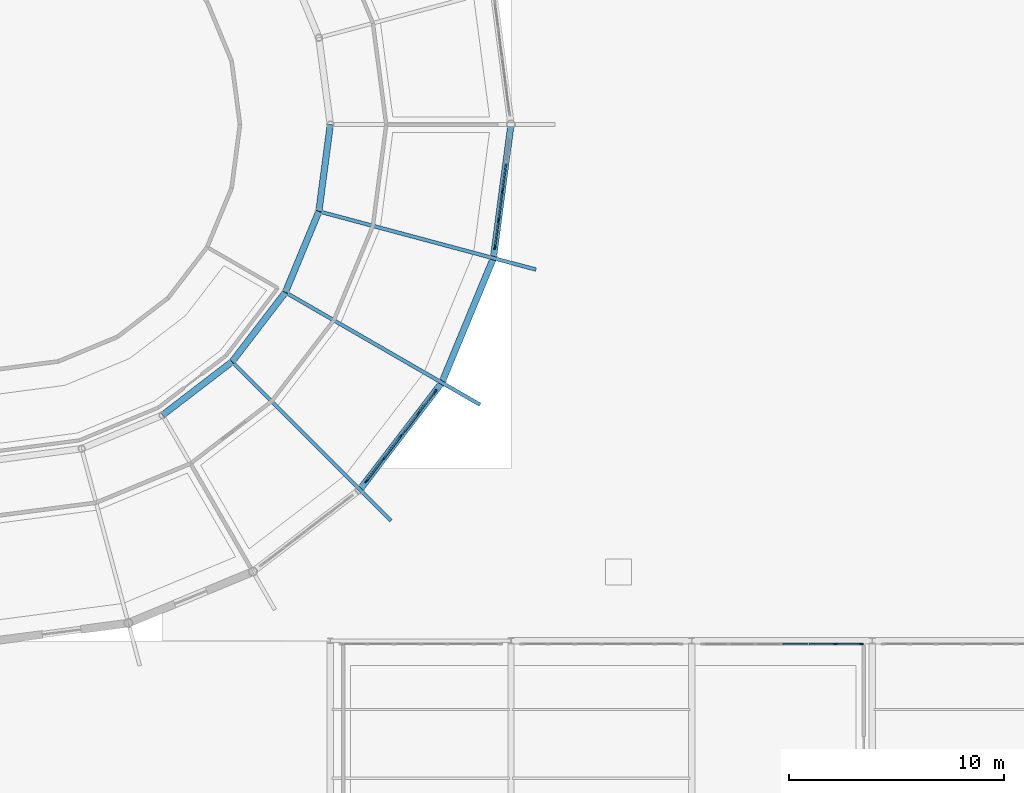
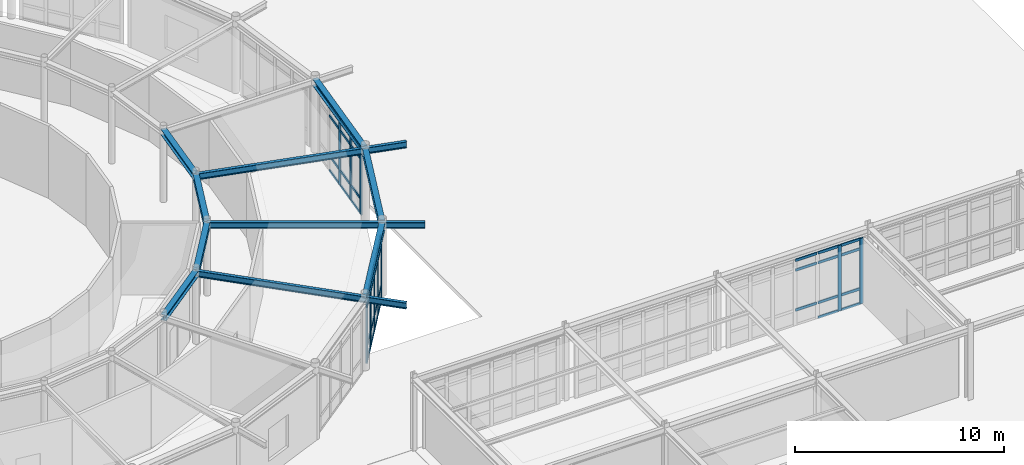
# One storey, part 35 of 101: 49 members, 10 beams, 3 elements without a shape of their own.
"""IFC4 building model written with IfcOpenShell, lengths in metres."""

from ifc_helpers import new_model, si_unit, derived_unit, direction, frame, origin, origin_2d, place, context, subcontext, project, spatial, rectangle, i_section, extrude, material, layer, layer_set, material_profile, profile_set, type_object, element, aggregate, save


model = new_model("IFC4")

# Units and contexts
model_context = context("Model", 3, precision=1e-05, world=origin(), true_north=direction((0.0, 1.0)))
body_context = subcontext(model_context, "Body", "Model", "MODEL_VIEW")
ifc_project = project(units=[si_unit("LENGTHUNIT", "METRE"), si_unit("AREAUNIT", "SQUARE_METRE"), si_unit("VOLUMEUNIT", "CUBIC_METRE"), si_unit("PLANEANGLEUNIT", "RADIAN"), si_unit("MASSUNIT", "GRAM", prefix="KILO"), derived_unit("THERMALTRANSMITTANCEUNIT", [(si_unit("POWERUNIT", "WATT"), 1), (si_unit("AREAUNIT", "SQUARE_METRE"), -1), (si_unit("THERMODYNAMICTEMPERATUREUNIT", "KELVIN"), -1)])], contexts=[model_context])

# Site, building, storey
site_placement = place(None, origin())
site = spatial("IfcSite", under=ifc_project, at=site_placement, CompositionType="ELEMENT")
building_placement = place(site_placement, origin())
building = spatial("IfcBuilding", under=site, at=building_placement, Name="Yasenodar Specialist Clinic", CompositionType="ELEMENT")
storey_placement = place(building_placement, origin())
storey = spatial("IfcBuildingStorey", under=building, at=storey_placement, Name="L00", CompositionType="ELEMENT", Elevation=0.0)

# Beams
ifc_material_1 = material(Name="Steel S355", Category="steel")
ifc_material_profile_1 = material_profile(ifc_material_1, i_section(OverallWidth=0.300048828125, OverallDepth=0.330078125, WebThickness=0.009521484375, FlangeThickness=0.0166015625, FilletRadius=0.027099609375, at=origin_2d()), Name="HEA 340")
ifc_profile_set_1 = profile_set([ifc_material_profile_1], Name="Steel S355")
beam_type_1 = type_object("IfcBeamType", Name="BM-HEA340", PredefinedType="BEAM", material=ifc_profile_set_1)
for number, where, z_axis, x_axis, name in (
    (1, (88.800048828125, 45.2900390625, 4.0849609375), (0.793376657722, 0.608731039936, 0.0), (-0.608731039936, 0.793376657722, 0.0), "L00 Drum V1 Inner Ring Beam"),
    (2, (92.031005859375, 47.76904296875, 4.0849609375), (0.608731039936, 0.793376657722, 0.0), (-0.793376657722, 0.608731039936, 0.0), "L00 Drum V1 Inner Ring Beam"),
    (3, (94.510009765625, 51.0, 4.0849609375), (0.382660650645, 0.92388896868, 0.0), (-0.92388896868, 0.382660650645, 0.0), "L00 Drum V1 Inner Ring Beam"),
    (4, (96.068359375, 54.762451171875, 4.0849609375), (0.130569268018, 0.991439189385, 0.0), (-0.991439189385, 0.130569268018, 0.0), "L00 Drum V1 Inner Ring Beam"),
):
    element("IfcBeam", number, at=place(storey_placement, frame(where, z_axis=z_axis, x_axis=x_axis)), inside=storey, type_object=beam_type_1, Name=name, PredefinedType="BEAM", context=body_context, shape_type="SweptSolid", body=[
        extrude(i_section(OverallWidth=0.300048828125, OverallDepth=0.330078125, WebThickness=0.009521484375, FlangeThickness=0.0166015625, FilletRadius=0.027099609375, at=origin_2d()), origin(), (0.0, 0.0, 1.0), 4.072509765625),
    ])
ifc_material_profile_2 = material_profile(ifc_material_1, i_section(OverallWidth=0.300048828125, OverallDepth=0.389892578125, WebThickness=0.010986328125, FlangeThickness=0.01904296875, FilletRadius=0.027099609375, at=origin_2d()), Name="HEA 400")
ifc_profile_set_2 = profile_set([ifc_material_profile_2], Name="Steel S355")
beam_type_2 = type_object("IfcBeamType", Name="BM-HEA400", PredefinedType="BEAM", material=ifc_profile_set_2)
beam_1_placement = place(storey_placement, frame((97.970703125, 41.829345703125, 4.054931640625), z_axis=(0.608742360322, 0.793367971845, 0.0), x_axis=(-0.793367971845, 0.608742360322, 0.0)))
element("IfcBeam", 5, at=beam_1_placement, inside=storey, type_object=beam_type_2, Name="L00 Drum V1 Perimeter Ring Beam", PredefinedType="BEAM", context=body_context, shape_type="SweptSolid", body=[
    extrude(i_section(OverallWidth=0.300048828125, OverallDepth=0.389892578125, WebThickness=0.010986328125, FlangeThickness=0.01904296875, FilletRadius=0.027099609375, at=origin_2d()), origin(), (0.0, 0.0, 1.0), 6.265380859375),
])
beam_2_placement = place(storey_placement, frame((101.78466796875, 46.800048828125, 4.054931640625), z_axis=(0.382663829839, 0.9238876519, 0.0), x_axis=(-0.9238876519, 0.382663829839, 0.0)))
element("IfcBeam", 6, at=beam_2_placement, inside=storey, type_object=beam_type_2, Name="L00 Drum V1 Perimeter Ring Beam", PredefinedType="BEAM", context=body_context, shape_type="SweptSolid", body=[
    extrude(i_section(OverallWidth=0.300048828125, OverallDepth=0.389892578125, WebThickness=0.010986328125, FlangeThickness=0.01904296875, FilletRadius=0.027099609375, at=origin_2d()), origin(), (0.0, 0.0, 1.0), 6.26513671875),
])
beam_3_placement = place(storey_placement, frame((104.18212890625, 52.58837890625, 4.054931640625), z_axis=(0.130540192224, 0.991443018138, 0.0), x_axis=(-0.991443018138, 0.130540192224, 0.0)))
element("IfcBeam", 7, at=beam_3_placement, inside=storey, type_object=beam_type_2, Name="L00 Drum V1 Perimeter Ring Beam", PredefinedType="BEAM", context=body_context, shape_type="SweptSolid", body=[
    extrude(i_section(OverallWidth=0.300048828125, OverallDepth=0.389892578125, WebThickness=0.010986328125, FlangeThickness=0.01904296875, FilletRadius=0.027099609375, at=origin_2d()), origin(), (0.0, 0.0, 1.0), 6.265380859375),
])
ifc_material_profile_3 = material_profile(ifc_material_1, i_section(OverallWidth=0.169921875, OverallDepth=0.360107421875, WebThickness=0.008056640625, FlangeThickness=0.0126953125, FilletRadius=0.01806640625, at=origin_2d()), Name="IPE 360")
ifc_profile_set_3 = profile_set([ifc_material_profile_3], Name="Steel S355")
beam_type_3 = type_object("IfcBeamType", Name="BM-IPE360", PredefinedType="BEAM", material=ifc_profile_set_3)
beam_4_placement = place(storey_placement, frame((92.031005859375, 47.76904296875, 4.070068359375), z_axis=(0.707106781187, -0.707106781187, 0.0), x_axis=(0.707106781187, 0.707106781187, 0.0)))
element("IfcBeam", 8, at=beam_4_placement, inside=storey, type_object=beam_type_3, Name="L00 Drum V1 Radial Back-Spanned Cantilever Beam", PredefinedType="BEAM", context=body_context, shape_type="SweptSolid", body=[
    extrude(i_section(OverallWidth=0.169921875, OverallDepth=0.360107421875, WebThickness=0.008056640625, FlangeThickness=0.0126953125, FilletRadius=0.01806640625, at=origin_2d()), origin(), (0.0, 0.0, 1.0), 10.449951171875),
])
beam_5_placement = place(storey_placement, frame((94.510009765625, 51.0, 4.070068359375), z_axis=(0.86602335148, -0.500003554679, 0.0), x_axis=(0.500003554679, 0.86602335148, 0.0)))
element("IfcBeam", 9, at=beam_5_placement, inside=storey, type_object=beam_type_3, Name="L00 Drum V1 Radial Back-Spanned Cantilever Beam", PredefinedType="BEAM", context=body_context, shape_type="SweptSolid", body=[
    extrude(i_section(OverallWidth=0.169921875, OverallDepth=0.360107421875, WebThickness=0.008056640625, FlangeThickness=0.0126953125, FilletRadius=0.01806640625, at=origin_2d()), origin(), (0.0, 0.0, 1.0), 10.4501953125),
])
beam_6_placement = place(storey_placement, frame((96.068359375, 54.762451171875, 4.070068359375), z_axis=(0.965927925162, -0.258811211874, 0.0), x_axis=(0.258811211874, 0.965927925162, 0.0)))
element("IfcBeam", 10, at=beam_6_placement, inside=storey, type_object=beam_type_3, Name="L00 Drum V1 Radial Back-Spanned Cantilever Beam", PredefinedType="BEAM", context=body_context, shape_type="SweptSolid", body=[
    extrude(i_section(OverallWidth=0.169921875, OverallDepth=0.360107421875, WebThickness=0.008056640625, FlangeThickness=0.0126953125, FilletRadius=0.01806640625, at=origin_2d()), origin(), (0.0, 0.0, 1.0), 10.449951171875),
])

# Curtain wall, members
ifc_material_2 = material(Name="Bronze Anodized Aluminium and Triple Low-E Glass", Category="aluminium")
ifc_layer_1 = layer(ifc_material_2, 0.1669921875)
ifc_layer_set_1 = layer_set([ifc_layer_1], Name="Bronze Anodized Aluminium and Triple Low-E Glass")
curtain_wall_type_1 = type_object("IfcCurtainWallType", Name="CW-SYS-01", PredefinedType="USERDEFINED", material=ifc_layer_set_1)
curtain_wall_1_placement = place(storey_placement, origin())
curtain_wall_1 = element("IfcCurtainWall", 11, at=curtain_wall_1_placement, inside=storey, type_object=curtain_wall_type_1, Name="L00 Unitised Curtain Wall 012", ObjectType="UNITISED CURTAIN WALL", PredefinedType="USERDEFINED")
ifc_material_3 = material(Name="Bronze Anodized Aluminium", Category="aluminium")
ifc_material_profile_4 = material_profile(ifc_material_3, rectangle(XDim=0.070068359375, YDim=0.199951171875, at=origin_2d()), Name="CW-MULL 70x200")
ifc_profile_set_4 = profile_set([ifc_material_profile_4], Name="Bronze Anodized Aluminium")
member_type_1 = type_object("IfcMemberType", Name="CW-MULL-200", PredefinedType="MULLION", material=ifc_profile_set_4)
member_1_placement = place(storey_placement, frame((101.47119140625, 46.391357421875, 0.0), z_axis=(0.0, 0.0, 1.0), x_axis=(0.793360558574, -0.608752021844, 0.0)))
member_1 = element("IfcMember", 12, at=member_1_placement, type_object=member_type_1, Name="CW-01 mullion 1", PredefinedType="MULLION", context=body_context, shape_type="SweptSolid", body=[
    extrude(rectangle(XDim=0.070068359375, YDim=0.199951171875, at=origin_2d()), origin(), (0.0, 0.0, 1.0), 3.837890625),
])
member_2_placement = place(storey_placement, frame((100.68505859375, 45.366943359375, 0.0), z_axis=(0.0, 0.0, 1.0), x_axis=(0.793360558574, -0.608752021844, 0.0)))
member_2 = element("IfcMember", 13, at=member_2_placement, type_object=member_type_1, Name="CW-01 mullion 2", PredefinedType="MULLION", context=body_context, shape_type="SweptSolid", body=[
    extrude(rectangle(XDim=0.070068359375, YDim=0.199951171875, at=origin_2d()), origin(), (0.0, 0.0, 1.0), 3.837890625),
])
member_3_placement = place(storey_placement, frame((99.877685546875, 44.314697265625, 0.0), z_axis=(0.0, 0.0, 1.0), x_axis=(0.793360558574, -0.608752021844, 0.0)))
member_3 = element("IfcMember", 14, at=member_3_placement, type_object=member_type_1, Name="CW-01 mullion 3", PredefinedType="MULLION", context=body_context, shape_type="SweptSolid", body=[
    extrude(rectangle(XDim=0.070068359375, YDim=0.199951171875, at=origin_2d()), origin(), (0.0, 0.0, 1.0), 3.837890625),
])
member_4_placement = place(storey_placement, frame((99.0703125, 43.262451171875, 0.0), z_axis=(0.0, 0.0, 1.0), x_axis=(0.793360558574, -0.608752021844, 0.0)))
member_4 = element("IfcMember", 15, at=member_4_placement, type_object=member_type_1, Name="CW-01 mullion 4", PredefinedType="MULLION", context=body_context, shape_type="SweptSolid", body=[
    extrude(rectangle(XDim=0.070068359375, YDim=0.199951171875, at=origin_2d()), origin(), (0.0, 0.0, 1.0), 3.837890625),
])
member_5_placement = place(storey_placement, frame((98.2841796875, 42.238037109375, 0.0), z_axis=(0.0, 0.0, 1.0), x_axis=(0.793360558574, -0.608752021844, 0.0)))
member_5 = element("IfcMember", 16, at=member_5_placement, type_object=member_type_1, Name="CW-01 mullion 5", PredefinedType="MULLION", context=body_context, shape_type="SweptSolid", body=[
    extrude(rectangle(XDim=0.070068359375, YDim=0.199951171875, at=origin_2d()), origin(), (0.0, 0.0, 1.0), 3.837890625),
])

curtain_wall_2_placement = place(storey_placement, origin())
curtain_wall_2 = element("IfcCurtainWall", 17, at=curtain_wall_2_placement, inside=storey, type_object=curtain_wall_type_1, Name="L00 Unitised Curtain Wall 013", ObjectType="UNITISED CURTAIN WALL", PredefinedType="USERDEFINED")
member_6_placement = place(storey_placement, frame((104.591064453125, 55.694091796875, 0.0), z_axis=(0.0, 0.0, 1.0), x_axis=(0.991446787601, -0.13051156024, 0.0)))
member_6 = element("IfcMember", 18, at=member_6_placement, type_object=member_type_1, Name="CW-01 mullion 3", PredefinedType="MULLION", context=body_context, shape_type="SweptSolid", body=[
    extrude(rectangle(XDim=0.070068359375, YDim=0.199951171875, at=origin_2d()), origin(), (0.0, 0.0, 1.0), 3.837890625),
])
member_7_placement = place(storey_placement, frame((104.41796875, 54.379150390625, 0.0), z_axis=(0.0, 0.0, 1.0), x_axis=(0.991446787601, -0.13051156024, 0.0)))
member_7 = element("IfcMember", 19, at=member_7_placement, type_object=member_type_1, Name="CW-01 mullion 4", PredefinedType="MULLION", context=body_context, shape_type="SweptSolid", body=[
    extrude(rectangle(XDim=0.070068359375, YDim=0.199951171875, at=origin_2d()), origin(), (0.0, 0.0, 1.0), 3.837890625),
])
member_8_placement = place(storey_placement, frame((104.24951171875, 53.098876953125, 0.0), z_axis=(0.0, 0.0, 1.0), x_axis=(0.991446787601, -0.13051156024, 0.0)))
member_8 = element("IfcMember", 20, at=member_8_placement, type_object=member_type_1, Name="CW-01 mullion 5", PredefinedType="MULLION", context=body_context, shape_type="SweptSolid", body=[
    extrude(rectangle(XDim=0.070068359375, YDim=0.199951171875, at=origin_2d()), origin(), (0.0, 0.0, 1.0), 3.837890625),
])

ifc_layer_2 = layer(ifc_material_2, 0.178955078125)
ifc_layer_set_2 = layer_set([ifc_layer_2], Name="Bronze Anodized Aluminium and Triple Low-E Glass")
curtain_wall_type_2 = type_object("IfcCurtainWallType", Name="CW-SYS-02", PredefinedType="USERDEFINED", material=ifc_layer_set_2)
curtain_wall_3_placement = place(storey_placement, origin())
curtain_wall_3 = element("IfcCurtainWall", 21, at=curtain_wall_3_placement, inside=storey, type_object=curtain_wall_type_2, Name="L00 Unitised Curtain Wall 083", ObjectType="UNITISED CURTAIN WALL", PredefinedType="USERDEFINED")
member_9_placement = place(storey_placement, frame((120.080078125, 34.64990234375, 0.0), z_axis=(0.0, 0.0, 1.0), x_axis=(0.0, 1.0, 0.0)))
member_9 = element("IfcMember", 22, at=member_9_placement, type_object=member_type_1, Name="CW-02 mullion 6", PredefinedType="MULLION", context=body_context, shape_type="SweptSolid", body=[
    extrude(rectangle(XDim=0.070068359375, YDim=0.199951171875, at=origin_2d()), origin(), (0.0, 0.0, 1.0), 3.837890625),
])
member_10_placement = place(storey_placement, frame((121.284912109375, 34.64990234375, 0.0), z_axis=(0.0, 0.0, 1.0), x_axis=(0.0, 1.0, 0.0)))
member_10 = element("IfcMember", 23, at=member_10_placement, type_object=member_type_1, Name="CW-02 mullion 7", PredefinedType="MULLION", context=body_context, shape_type="SweptSolid", body=[
    extrude(rectangle(XDim=0.070068359375, YDim=0.199951171875, at=origin_2d()), origin(), (0.0, 0.0, 1.0), 3.837890625),
])

# Member
ifc_material_profile_5 = material_profile(ifc_material_3, rectangle(XDim=0.070068359375, YDim=0.14990234375, at=origin_2d()), Name="CW-TRAN 70x150")
ifc_profile_set_5 = profile_set([ifc_material_profile_5], Name="Bronze Anodized Aluminium")
member_type_2 = type_object("IfcMemberType", Name="CW-TRAN-150", PredefinedType="USERDEFINED", material=ifc_profile_set_5)
member_11_placement = place(storey_placement, frame((101.44970703125, 46.36376953125, 0.034912109375), z_axis=(-0.608695898449, -0.793403619358, 0.0), x_axis=(0.793403619358, -0.608695898449, 0.0)))
member_11 = element("IfcMember", 24, at=member_11_placement, type_object=member_type_2, Name="CW-01 transom 1.1", ObjectType="TRANSOM", PredefinedType="USERDEFINED", context=body_context, shape_type="SweptSolid", body=[
    extrude(rectangle(XDim=0.070068359375, YDim=0.14990234375, at=origin_2d()), origin(), (0.0, 0.0, 1.0), 1.22119140625),
])

member_12_placement = place(storey_placement, frame((101.44970703125, 46.36376953125, 0.89990234375), z_axis=(-0.608695898449, -0.793403619358, 0.0), x_axis=(0.793403619358, -0.608695898449, 0.0)))
member_12 = element("IfcMember", 25, at=member_12_placement, type_object=member_type_2, Name="CW-01 transom 1.2", ObjectType="TRANSOM", PredefinedType="USERDEFINED", context=body_context, shape_type="SweptSolid", body=[
    extrude(rectangle(XDim=0.070068359375, YDim=0.14990234375, at=origin_2d()), origin(), (0.0, 0.0, 1.0), 1.22119140625),
])

member_13_placement = place(storey_placement, frame((101.44970703125, 46.36376953125, 3.238037109375), z_axis=(-0.608695898449, -0.793403619358, 0.0), x_axis=(0.793403619358, -0.608695898449, 0.0)))
member_13 = element("IfcMember", 26, at=member_13_placement, type_object=member_type_2, Name="CW-01 transom 1.3", ObjectType="TRANSOM", PredefinedType="USERDEFINED", context=body_context, shape_type="SweptSolid", body=[
    extrude(rectangle(XDim=0.070068359375, YDim=0.14990234375, at=origin_2d()), origin(), (0.0, 0.0, 1.0), 1.22119140625),
])

member_14_placement = place(storey_placement, frame((101.44970703125, 46.36376953125, 3.802978515625), z_axis=(-0.608695898449, -0.793403619358, 0.0), x_axis=(0.793403619358, -0.608695898449, 0.0)))
member_14 = element("IfcMember", 27, at=member_14_placement, type_object=member_type_2, Name="CW-01 transom 1.4", ObjectType="TRANSOM", PredefinedType="USERDEFINED", context=body_context, shape_type="SweptSolid", body=[
    extrude(rectangle(XDim=0.070068359375, YDim=0.14990234375, at=origin_2d()), origin(), (0.0, 0.0, 1.0), 1.22119140625),
])

member_15_placement = place(storey_placement, frame((100.66357421875, 45.339111328125, 0.034912109375), z_axis=(-0.608733443446, -0.793374813585, 0.0), x_axis=(0.793374813585, -0.608733443446, 0.0)))
member_15 = element("IfcMember", 28, at=member_15_placement, type_object=member_type_2, Name="CW-01 transom 2.1", ObjectType="TRANSOM", PredefinedType="USERDEFINED", context=body_context, shape_type="SweptSolid", body=[
    extrude(rectangle(XDim=0.070068359375, YDim=0.14990234375, at=origin_2d()), origin(), (0.0, 0.0, 1.0), 1.256103515625),
])

member_16_placement = place(storey_placement, frame((100.66357421875, 45.339111328125, 0.89990234375), z_axis=(-0.608733443446, -0.793374813585, 0.0), x_axis=(0.793374813585, -0.608733443446, 0.0)))
member_16 = element("IfcMember", 29, at=member_16_placement, type_object=member_type_2, Name="CW-01 transom 2.2", ObjectType="TRANSOM", PredefinedType="USERDEFINED", context=body_context, shape_type="SweptSolid", body=[
    extrude(rectangle(XDim=0.070068359375, YDim=0.14990234375, at=origin_2d()), origin(), (0.0, 0.0, 1.0), 1.256103515625),
])

member_17_placement = place(storey_placement, frame((100.66357421875, 45.339111328125, 3.238037109375), z_axis=(-0.608733443446, -0.793374813585, 0.0), x_axis=(0.793374813585, -0.608733443446, 0.0)))
member_17 = element("IfcMember", 30, at=member_17_placement, type_object=member_type_2, Name="CW-01 transom 2.3", ObjectType="TRANSOM", PredefinedType="USERDEFINED", context=body_context, shape_type="SweptSolid", body=[
    extrude(rectangle(XDim=0.070068359375, YDim=0.14990234375, at=origin_2d()), origin(), (0.0, 0.0, 1.0), 1.256103515625),
])

member_18_placement = place(storey_placement, frame((100.66357421875, 45.339111328125, 3.802978515625), z_axis=(-0.608733443446, -0.793374813585, 0.0), x_axis=(0.793374813585, -0.608733443446, 0.0)))
member_18 = element("IfcMember", 31, at=member_18_placement, type_object=member_type_2, Name="CW-01 transom 2.4", ObjectType="TRANSOM", PredefinedType="USERDEFINED", context=body_context, shape_type="SweptSolid", body=[
    extrude(rectangle(XDim=0.070068359375, YDim=0.14990234375, at=origin_2d()), origin(), (0.0, 0.0, 1.0), 1.256103515625),
])

member_19_placement = place(storey_placement, frame((99.856201171875, 44.286865234375, 0.034912109375), z_axis=(-0.608733443446, -0.793374813585, 0.0), x_axis=(0.793374813585, -0.608733443446, 0.0)))
member_19 = element("IfcMember", 32, at=member_19_placement, type_object=member_type_2, Name="CW-01 transom 3.1", ObjectType="TRANSOM", PredefinedType="USERDEFINED", context=body_context, shape_type="SweptSolid", body=[
    extrude(rectangle(XDim=0.070068359375, YDim=0.14990234375, at=origin_2d()), origin(), (0.0, 0.0, 1.0), 1.256103515625),
])

member_20_placement = place(storey_placement, frame((99.856201171875, 44.286865234375, 0.89990234375), z_axis=(-0.608733443446, -0.793374813585, 0.0), x_axis=(0.793374813585, -0.608733443446, 0.0)))
member_20 = element("IfcMember", 33, at=member_20_placement, type_object=member_type_2, Name="CW-01 transom 3.2", ObjectType="TRANSOM", PredefinedType="USERDEFINED", context=body_context, shape_type="SweptSolid", body=[
    extrude(rectangle(XDim=0.070068359375, YDim=0.14990234375, at=origin_2d()), origin(), (0.0, 0.0, 1.0), 1.256103515625),
])

member_21_placement = place(storey_placement, frame((99.856201171875, 44.286865234375, 3.238037109375), z_axis=(-0.608733443446, -0.793374813585, 0.0), x_axis=(0.793374813585, -0.608733443446, 0.0)))
member_21 = element("IfcMember", 34, at=member_21_placement, type_object=member_type_2, Name="CW-01 transom 3.3", ObjectType="TRANSOM", PredefinedType="USERDEFINED", context=body_context, shape_type="SweptSolid", body=[
    extrude(rectangle(XDim=0.070068359375, YDim=0.14990234375, at=origin_2d()), origin(), (0.0, 0.0, 1.0), 1.256103515625),
])

member_22_placement = place(storey_placement, frame((99.856201171875, 44.286865234375, 3.802978515625), z_axis=(-0.608733443446, -0.793374813585, 0.0), x_axis=(0.793374813585, -0.608733443446, 0.0)))
member_22 = element("IfcMember", 35, at=member_22_placement, type_object=member_type_2, Name="CW-01 transom 3.4", ObjectType="TRANSOM", PredefinedType="USERDEFINED", context=body_context, shape_type="SweptSolid", body=[
    extrude(rectangle(XDim=0.070068359375, YDim=0.14990234375, at=origin_2d()), origin(), (0.0, 0.0, 1.0), 1.256103515625),
])

member_23_placement = place(storey_placement, frame((99.048828125, 43.234619140625, 0.034912109375), z_axis=(-0.608695898449, -0.793403619358, 0.0), x_axis=(0.793403619358, -0.608695898449, 0.0)))
member_23 = element("IfcMember", 36, at=member_23_placement, type_object=member_type_2, Name="CW-01 transom 4.1", ObjectType="TRANSOM", PredefinedType="USERDEFINED", context=body_context, shape_type="SweptSolid", body=[
    extrude(rectangle(XDim=0.070068359375, YDim=0.14990234375, at=origin_2d()), origin(), (0.0, 0.0, 1.0), 1.22119140625),
])

member_24_placement = place(storey_placement, frame((99.048828125, 43.234619140625, 0.89990234375), z_axis=(-0.608695898449, -0.793403619358, 0.0), x_axis=(0.793403619358, -0.608695898449, 0.0)))
member_24 = element("IfcMember", 37, at=member_24_placement, type_object=member_type_2, Name="CW-01 transom 4.2", ObjectType="TRANSOM", PredefinedType="USERDEFINED", context=body_context, shape_type="SweptSolid", body=[
    extrude(rectangle(XDim=0.070068359375, YDim=0.14990234375, at=origin_2d()), origin(), (0.0, 0.0, 1.0), 1.22119140625),
])

member_25_placement = place(storey_placement, frame((99.048828125, 43.234619140625, 3.238037109375), z_axis=(-0.608695898449, -0.793403619358, 0.0), x_axis=(0.793403619358, -0.608695898449, 0.0)))
member_25 = element("IfcMember", 38, at=member_25_placement, type_object=member_type_2, Name="CW-01 transom 4.3", ObjectType="TRANSOM", PredefinedType="USERDEFINED", context=body_context, shape_type="SweptSolid", body=[
    extrude(rectangle(XDim=0.070068359375, YDim=0.14990234375, at=origin_2d()), origin(), (0.0, 0.0, 1.0), 1.22119140625),
])

member_26_placement = place(storey_placement, frame((99.048828125, 43.234619140625, 3.802978515625), z_axis=(-0.608695898449, -0.793403619358, 0.0), x_axis=(0.793403619358, -0.608695898449, 0.0)))
member_26 = element("IfcMember", 39, at=member_26_placement, type_object=member_type_2, Name="CW-01 transom 4.4", ObjectType="TRANSOM", PredefinedType="USERDEFINED", context=body_context, shape_type="SweptSolid", body=[
    extrude(rectangle(XDim=0.070068359375, YDim=0.14990234375, at=origin_2d()), origin(), (0.0, 0.0, 1.0), 1.22119140625),
])

aggregate(curtain_wall_1, [member_1, member_2, member_3, member_4, member_5, member_11, member_12, member_13, member_14, member_15, member_16, member_17, member_18, member_19, member_20, member_21, member_22, member_23, member_24, member_25, member_26])

member_27_placement = place(storey_placement, frame((104.759521484375, 56.974365234375, 0.034912109375), z_axis=(-0.130394189908, -0.991462230868, 0.0), x_axis=(0.991462230868, -0.130394189908, 0.0)))
member_27 = element("IfcMember", 40, at=member_27_placement, type_object=member_type_2, Name="CW-01 transom 2.1", ObjectType="TRANSOM", PredefinedType="USERDEFINED", context=body_context, shape_type="SweptSolid", body=[
    extrude(rectangle(XDim=0.070068359375, YDim=0.14990234375, at=origin_2d()), origin(), (0.0, 0.0, 1.0), 1.25634765625),
])

member_28_placement = place(storey_placement, frame((104.759521484375, 56.974365234375, 0.89990234375), z_axis=(-0.130394189908, -0.991462230868, 0.0), x_axis=(0.991462230868, -0.130394189908, 0.0)))
member_28 = element("IfcMember", 41, at=member_28_placement, type_object=member_type_2, Name="CW-01 transom 2.2", ObjectType="TRANSOM", PredefinedType="USERDEFINED", context=body_context, shape_type="SweptSolid", body=[
    extrude(rectangle(XDim=0.070068359375, YDim=0.14990234375, at=origin_2d()), origin(), (0.0, 0.0, 1.0), 1.25634765625),
])

member_29_placement = place(storey_placement, frame((104.759521484375, 56.974365234375, 3.238037109375), z_axis=(-0.130394189908, -0.991462230868, 0.0), x_axis=(0.991462230868, -0.130394189908, 0.0)))
member_29 = element("IfcMember", 42, at=member_29_placement, type_object=member_type_2, Name="CW-01 transom 2.3", ObjectType="TRANSOM", PredefinedType="USERDEFINED", context=body_context, shape_type="SweptSolid", body=[
    extrude(rectangle(XDim=0.070068359375, YDim=0.14990234375, at=origin_2d()), origin(), (0.0, 0.0, 1.0), 1.25634765625),
])

member_30_placement = place(storey_placement, frame((104.759521484375, 56.974365234375, 3.802978515625), z_axis=(-0.130394189908, -0.991462230868, 0.0), x_axis=(0.991462230868, -0.130394189908, 0.0)))
member_30 = element("IfcMember", 43, at=member_30_placement, type_object=member_type_2, Name="CW-01 transom 2.4", ObjectType="TRANSOM", PredefinedType="USERDEFINED", context=body_context, shape_type="SweptSolid", body=[
    extrude(rectangle(XDim=0.070068359375, YDim=0.14990234375, at=origin_2d()), origin(), (0.0, 0.0, 1.0), 1.25634765625),
])

member_31_placement = place(storey_placement, frame((104.58642578125, 55.659423828125, 0.034912109375), z_axis=(-0.130394189908, -0.991462230868, 0.0), x_axis=(0.991462230868, -0.130394189908, 0.0)))
member_31 = element("IfcMember", 44, at=member_31_placement, type_object=member_type_2, Name="CW-01 transom 3.1", ObjectType="TRANSOM", PredefinedType="USERDEFINED", context=body_context, shape_type="SweptSolid", body=[
    extrude(rectangle(XDim=0.070068359375, YDim=0.14990234375, at=origin_2d()), origin(), (0.0, 0.0, 1.0), 1.25634765625),
])

member_32_placement = place(storey_placement, frame((104.58642578125, 55.659423828125, 0.89990234375), z_axis=(-0.130394189908, -0.991462230868, 0.0), x_axis=(0.991462230868, -0.130394189908, 0.0)))
member_32 = element("IfcMember", 45, at=member_32_placement, type_object=member_type_2, Name="CW-01 transom 3.2", ObjectType="TRANSOM", PredefinedType="USERDEFINED", context=body_context, shape_type="SweptSolid", body=[
    extrude(rectangle(XDim=0.070068359375, YDim=0.14990234375, at=origin_2d()), origin(), (0.0, 0.0, 1.0), 1.25634765625),
])

member_33_placement = place(storey_placement, frame((104.58642578125, 55.659423828125, 3.238037109375), z_axis=(-0.130394189908, -0.991462230868, 0.0), x_axis=(0.991462230868, -0.130394189908, 0.0)))
member_33 = element("IfcMember", 46, at=member_33_placement, type_object=member_type_2, Name="CW-01 transom 3.3", ObjectType="TRANSOM", PredefinedType="USERDEFINED", context=body_context, shape_type="SweptSolid", body=[
    extrude(rectangle(XDim=0.070068359375, YDim=0.14990234375, at=origin_2d()), origin(), (0.0, 0.0, 1.0), 1.25634765625),
])

member_34_placement = place(storey_placement, frame((104.58642578125, 55.659423828125, 3.802978515625), z_axis=(-0.130394189908, -0.991462230868, 0.0), x_axis=(0.991462230868, -0.130394189908, 0.0)))
member_34 = element("IfcMember", 47, at=member_34_placement, type_object=member_type_2, Name="CW-01 transom 3.4", ObjectType="TRANSOM", PredefinedType="USERDEFINED", context=body_context, shape_type="SweptSolid", body=[
    extrude(rectangle(XDim=0.070068359375, YDim=0.14990234375, at=origin_2d()), origin(), (0.0, 0.0, 1.0), 1.25634765625),
])

member_35_placement = place(storey_placement, frame((104.413330078125, 54.344482421875, 0.034912109375), z_axis=(-0.130330411712, -0.991470616702, 0.0), x_axis=(0.991470616702, -0.130330411712, 0.0)))
member_35 = element("IfcMember", 48, at=member_35_placement, type_object=member_type_2, Name="CW-01 transom 4.1", ObjectType="TRANSOM", PredefinedType="USERDEFINED", context=body_context, shape_type="SweptSolid", body=[
    extrude(rectangle(XDim=0.070068359375, YDim=0.14990234375, at=origin_2d()), origin(), (0.0, 0.0, 1.0), 1.221435546875),
])

member_36_placement = place(storey_placement, frame((104.413330078125, 54.344482421875, 0.89990234375), z_axis=(-0.130330411712, -0.991470616702, 0.0), x_axis=(0.991470616702, -0.130330411712, 0.0)))
member_36 = element("IfcMember", 49, at=member_36_placement, type_object=member_type_2, Name="CW-01 transom 4.2", ObjectType="TRANSOM", PredefinedType="USERDEFINED", context=body_context, shape_type="SweptSolid", body=[
    extrude(rectangle(XDim=0.070068359375, YDim=0.14990234375, at=origin_2d()), origin(), (0.0, 0.0, 1.0), 1.221435546875),
])

member_37_placement = place(storey_placement, frame((104.413330078125, 54.344482421875, 3.238037109375), z_axis=(-0.130330411712, -0.991470616702, 0.0), x_axis=(0.991470616702, -0.130330411712, 0.0)))
member_37 = element("IfcMember", 50, at=member_37_placement, type_object=member_type_2, Name="CW-01 transom 4.3", ObjectType="TRANSOM", PredefinedType="USERDEFINED", context=body_context, shape_type="SweptSolid", body=[
    extrude(rectangle(XDim=0.070068359375, YDim=0.14990234375, at=origin_2d()), origin(), (0.0, 0.0, 1.0), 1.221435546875),
])

member_38_placement = place(storey_placement, frame((104.413330078125, 54.344482421875, 3.802978515625), z_axis=(-0.130330411712, -0.991470616702, 0.0), x_axis=(0.991470616702, -0.130330411712, 0.0)))
member_38 = element("IfcMember", 51, at=member_38_placement, type_object=member_type_2, Name="CW-01 transom 4.4", ObjectType="TRANSOM", PredefinedType="USERDEFINED", context=body_context, shape_type="SweptSolid", body=[
    extrude(rectangle(XDim=0.070068359375, YDim=0.14990234375, at=origin_2d()), origin(), (0.0, 0.0, 1.0), 1.221435546875),
])

aggregate(curtain_wall_2, [member_6, member_7, member_8, member_27, member_28, member_29, member_30, member_31, member_32, member_33, member_34, member_35, member_36, member_37, member_38])

member_39_placement = place(storey_placement, frame((117.635009765625, 34.64990234375, 0.89990234375), z_axis=(1.0, 0.0, 0.0), x_axis=(0.0, 1.0, 0.0)))
member_39 = element("IfcMember", 52, at=member_39_placement, type_object=member_type_2, Name="CW-02 transom 4.2", ObjectType="TRANSOM", PredefinedType="USERDEFINED", context=body_context, shape_type="SweptSolid", body=[
    extrude(rectangle(XDim=0.070068359375, YDim=0.14990234375, at=origin_2d()), origin(), (0.0, 0.0, 1.0), 1.169921875),
])

member_40_placement = place(storey_placement, frame((117.635009765625, 34.64990234375, 3.238037109375), z_axis=(1.0, 0.0, 0.0), x_axis=(0.0, 1.0, 0.0)))
member_40 = element("IfcMember", 53, at=member_40_placement, type_object=member_type_2, Name="CW-02 transom 4.3", ObjectType="TRANSOM", PredefinedType="USERDEFINED", context=body_context, shape_type="SweptSolid", body=[
    extrude(rectangle(XDim=0.070068359375, YDim=0.14990234375, at=origin_2d()), origin(), (0.0, 0.0, 1.0), 1.169921875),
])

member_41_placement = place(storey_placement, frame((117.635009765625, 34.64990234375, 3.802978515625), z_axis=(1.0, 0.0, 0.0), x_axis=(0.0, 1.0, 0.0)))
member_41 = element("IfcMember", 54, at=member_41_placement, type_object=member_type_2, Name="CW-02 transom 4.4", ObjectType="TRANSOM", PredefinedType="USERDEFINED", context=body_context, shape_type="SweptSolid", body=[
    extrude(rectangle(XDim=0.070068359375, YDim=0.14990234375, at=origin_2d()), origin(), (0.0, 0.0, 1.0), 1.169921875),
])

member_42_placement = place(storey_placement, frame((118.875, 34.64990234375, 0.034912109375), z_axis=(1.0, 0.0, 0.0), x_axis=(0.0, 1.0, 0.0)))
member_42 = element("IfcMember", 55, at=member_42_placement, type_object=member_type_2, Name="CW-02 transom 5.1", ObjectType="TRANSOM", PredefinedType="USERDEFINED", context=body_context, shape_type="SweptSolid", body=[
    extrude(rectangle(XDim=0.070068359375, YDim=0.14990234375, at=origin_2d()), origin(), (0.0, 0.0, 1.0), 1.169921875),
])

member_43_placement = place(storey_placement, frame((118.875, 34.64990234375, 0.89990234375), z_axis=(1.0, 0.0, 0.0), x_axis=(0.0, 1.0, 0.0)))
member_43 = element("IfcMember", 56, at=member_43_placement, type_object=member_type_2, Name="CW-02 transom 5.2", ObjectType="TRANSOM", PredefinedType="USERDEFINED", context=body_context, shape_type="SweptSolid", body=[
    extrude(rectangle(XDim=0.070068359375, YDim=0.14990234375, at=origin_2d()), origin(), (0.0, 0.0, 1.0), 1.169921875),
])

member_44_placement = place(storey_placement, frame((118.875, 34.64990234375, 3.238037109375), z_axis=(1.0, 0.0, 0.0), x_axis=(0.0, 1.0, 0.0)))
member_44 = element("IfcMember", 57, at=member_44_placement, type_object=member_type_2, Name="CW-02 transom 5.3", ObjectType="TRANSOM", PredefinedType="USERDEFINED", context=body_context, shape_type="SweptSolid", body=[
    extrude(rectangle(XDim=0.070068359375, YDim=0.14990234375, at=origin_2d()), origin(), (0.0, 0.0, 1.0), 1.169921875),
])

member_45_placement = place(storey_placement, frame((118.875, 34.64990234375, 3.802978515625), z_axis=(1.0, 0.0, 0.0), x_axis=(0.0, 1.0, 0.0)))
member_45 = element("IfcMember", 58, at=member_45_placement, type_object=member_type_2, Name="CW-02 transom 5.4", ObjectType="TRANSOM", PredefinedType="USERDEFINED", context=body_context, shape_type="SweptSolid", body=[
    extrude(rectangle(XDim=0.070068359375, YDim=0.14990234375, at=origin_2d()), origin(), (0.0, 0.0, 1.0), 1.169921875),
])

member_46_placement = place(storey_placement, frame((120.114990234375, 34.64990234375, 0.034912109375), z_axis=(1.0, 0.0, 0.0), x_axis=(0.0, 1.0, 0.0)))
member_46 = element("IfcMember", 59, at=member_46_placement, type_object=member_type_2, Name="CW-02 transom 6.1", ObjectType="TRANSOM", PredefinedType="USERDEFINED", context=body_context, shape_type="SweptSolid", body=[
    extrude(rectangle(XDim=0.070068359375, YDim=0.14990234375, at=origin_2d()), origin(), (0.0, 0.0, 1.0), 1.135009765625),
])

member_47_placement = place(storey_placement, frame((120.114990234375, 34.64990234375, 0.89990234375), z_axis=(1.0, 0.0, 0.0), x_axis=(0.0, 1.0, 0.0)))
member_47 = element("IfcMember", 60, at=member_47_placement, type_object=member_type_2, Name="CW-02 transom 6.2", ObjectType="TRANSOM", PredefinedType="USERDEFINED", context=body_context, shape_type="SweptSolid", body=[
    extrude(rectangle(XDim=0.070068359375, YDim=0.14990234375, at=origin_2d()), origin(), (0.0, 0.0, 1.0), 1.135009765625),
])

member_48_placement = place(storey_placement, frame((120.114990234375, 34.64990234375, 3.238037109375), z_axis=(1.0, 0.0, 0.0), x_axis=(0.0, 1.0, 0.0)))
member_48 = element("IfcMember", 61, at=member_48_placement, type_object=member_type_2, Name="CW-02 transom 6.3", ObjectType="TRANSOM", PredefinedType="USERDEFINED", context=body_context, shape_type="SweptSolid", body=[
    extrude(rectangle(XDim=0.070068359375, YDim=0.14990234375, at=origin_2d()), origin(), (0.0, 0.0, 1.0), 1.135009765625),
])

member_49_placement = place(storey_placement, frame((120.114990234375, 34.64990234375, 3.802978515625), z_axis=(1.0, 0.0, 0.0), x_axis=(0.0, 1.0, 0.0)))
member_49 = element("IfcMember", 62, at=member_49_placement, type_object=member_type_2, Name="CW-02 transom 6.4", ObjectType="TRANSOM", PredefinedType="USERDEFINED", context=body_context, shape_type="SweptSolid", body=[
    extrude(rectangle(XDim=0.070068359375, YDim=0.14990234375, at=origin_2d()), origin(), (0.0, 0.0, 1.0), 1.135009765625),
])

aggregate(curtain_wall_3, [member_9, member_10, member_39, member_40, member_41, member_42, member_43, member_44, member_45, member_46, member_47, member_48, member_49])

save(model, "model.ifc")
